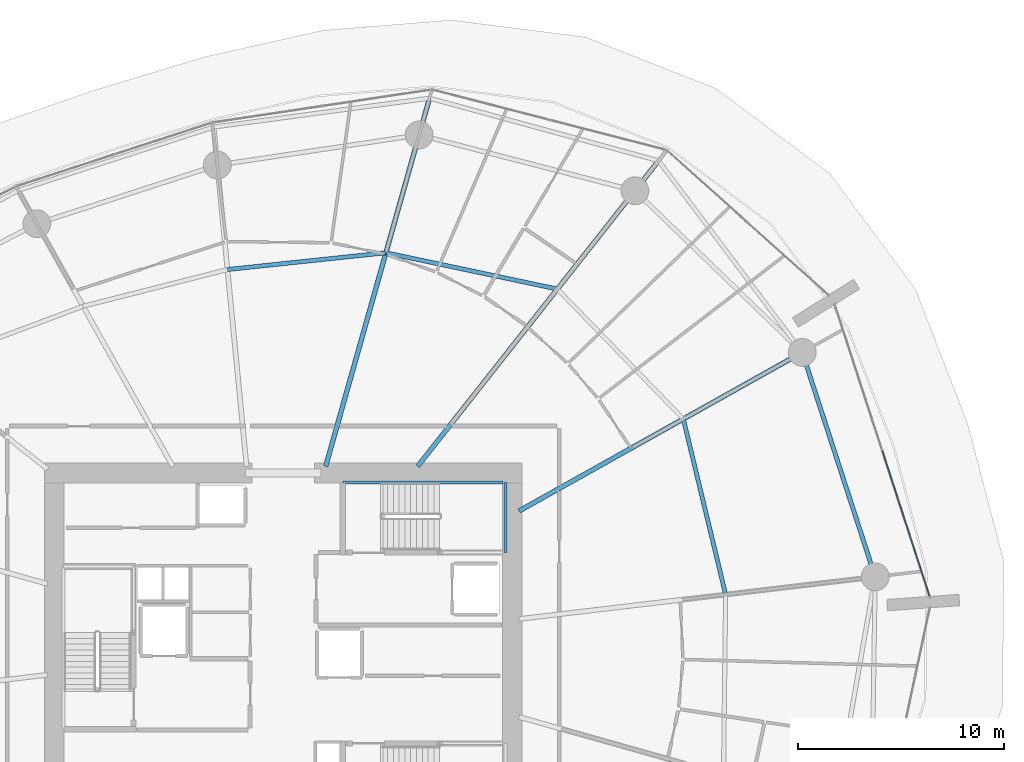
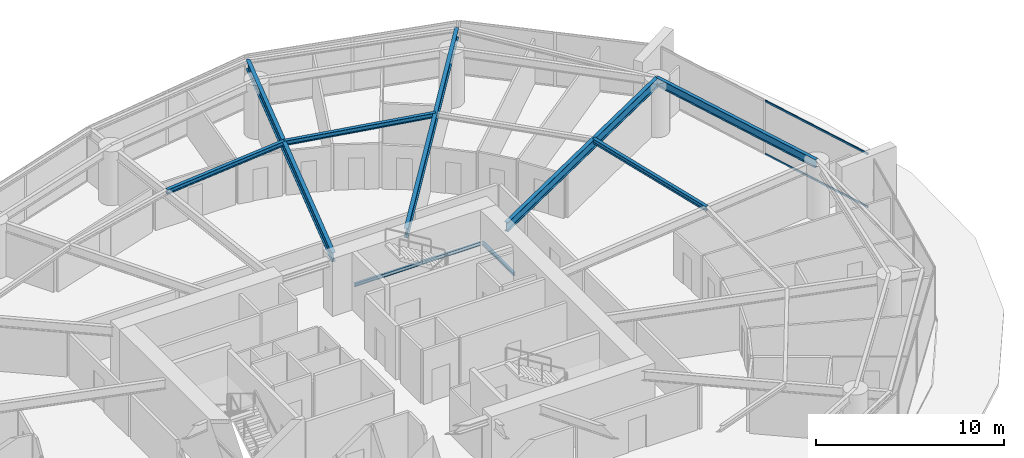
# One storey, part 13 of 22: 9 beams, 2 members, 1 element without a shape of its own.
"""IFC4 building model written with IfcOpenShell, lengths in metres."""

from ifc_helpers import new_model, si_unit, direction, frame, origin, origin_2d, place, context, subcontext, project, spatial, rectangle, i_section, extrude, material, layer, layer_set, material_profile, profile_set, type_object, element, aggregate, save


model = new_model("IFC4")

# Units and contexts
model_context = context("Model", 3, precision=1e-05, world=origin(), true_north=direction((0.0, 1.0)))
body_context = subcontext(model_context, "Body", "Model", "MODEL_VIEW")
ifc_project = project(units=[si_unit("LENGTHUNIT", "METRE"), si_unit("AREAUNIT", "SQUARE_METRE"), si_unit("VOLUMEUNIT", "CUBIC_METRE"), si_unit("PLANEANGLEUNIT", "RADIAN"), si_unit("MASSUNIT", "GRAM", prefix="KILO")], contexts=[model_context])

# Site, building, storey
site_placement = place(None, origin())
site = spatial("IfcSite", under=ifc_project, at=site_placement, CompositionType="ELEMENT")
building_placement = place(site_placement, origin())
building = spatial("IfcBuilding", under=site, at=building_placement, Name="Kazma Halo Residences", CompositionType="ELEMENT")
storey_placement = place(building_placement, frame((0.0, 0.0, 26.39990234375)))
storey = spatial("IfcBuildingStorey", under=building, at=storey_placement, Name="L05", CompositionType="ELEMENT", Elevation=26.39990234375)

# Beams
ifc_material_1 = material(Name="Steel S355", Category="steel")
ifc_material_profile_1 = material_profile(ifc_material_1, i_section(OverallWidth=0.22802734375, OverallDepth=0.60791015625, WebThickness=0.01123046875, FlangeThickness=0.017333984375, FilletRadius=0.01806640625, at=origin_2d()), Name="W610x113")
ifc_profile_set_1 = profile_set([ifc_material_profile_1], Name="Steel S355")
beam_type_1 = type_object("IfcBeamType", Name="BM-RAD-W610", PredefinedType="BEAM", material=ifc_profile_set_1)
beam_1_placement = place(storey_placement, frame((59.85009765625, 48.63623046875, 3.196044921875), z_axis=(0.872489859828, 0.48863221803, 0.0), x_axis=(-0.48863221803, 0.872489859828, 0.0)))
element("IfcBeam", 1, at=beam_1_placement, inside=storey, type_object=beam_type_1, Name="L05 radial floor beam 01", PredefinedType="BEAM", context=body_context, shape_type="SweptSolid", body=[
    extrude(i_section(OverallWidth=0.22802734375, OverallDepth=0.60791015625, WebThickness=0.01123046875, FlangeThickness=0.017333984375, FilletRadius=0.01806640625, at=origin_2d()), origin(), (0.0, 0.0, 1.0), 15.71923828125),
])
beam_2_placement = place(storey_placement, frame((54.9375, 50.800048828125, 3.196044921875), z_axis=(0.619092154321, 0.785318345932, 0.0), x_axis=(-0.785318345932, 0.619092154321, 0.0)))
element("IfcBeam", 2, at=beam_2_placement, inside=storey, type_object=beam_type_1, Name="L05 radial floor beam 02", PredefinedType="BEAM", context=body_context, shape_type="SweptSolid", body=[
    extrude(i_section(OverallWidth=0.22802734375, OverallDepth=0.60791015625, WebThickness=0.01123046875, FlangeThickness=0.017333984375, FilletRadius=0.01806640625, at=origin_2d()), origin(), (0.0, 0.0, 1.0), 18.84375),
])
beam_3_placement = place(storey_placement, frame((50.48193359375, 50.800048828125, 3.196044921875), z_axis=(0.271442010129, 0.962454796412, 0.0), x_axis=(-0.962454796412, 0.271442010129, 0.0)))
element("IfcBeam", 3, at=beam_3_placement, inside=storey, type_object=beam_type_1, Name="L05 radial floor beam 03", PredefinedType="BEAM", context=body_context, shape_type="SweptSolid", body=[
    extrude(i_section(OverallWidth=0.22802734375, OverallDepth=0.60791015625, WebThickness=0.01123046875, FlangeThickness=0.017333984375, FilletRadius=0.01806640625, at=origin_2d()), origin(), (0.0, 0.0, 1.0), 18.525390625),
])
ifc_material_profile_2 = material_profile(ifc_material_1, i_section(OverallWidth=0.202880859375, OverallDepth=0.302978515625, WebThickness=0.007568359375, FlangeThickness=0.01318359375, FilletRadius=0.013916015625, at=origin_2d()), Name="W310x60")
ifc_profile_set_2 = profile_set([ifc_material_profile_2], Name="Steel S355")
beam_type_2 = type_object("IfcBeamType", Name="BM-SEC-W310A", PredefinedType="JOIST", material=ifc_profile_set_2)
beam_4_placement = place(storey_placement, frame((61.703857421875, 59.383056640625, 3.3486328125), z_axis=(-0.97831665719, 0.207114746615, 0.0), x_axis=(-0.207114746615, -0.97831665719, 0.0)))
element("IfcBeam", 4, at=beam_4_placement, inside=storey, type_object=beam_type_2, Name="L05 circumferential floor joist 02", PredefinedType="JOIST", context=body_context, shape_type="SweptSolid", body=[
    extrude(i_section(OverallWidth=0.202880859375, OverallDepth=0.302978515625, WebThickness=0.007568359375, FlangeThickness=0.01318359375, FilletRadius=0.013916015625, at=origin_2d()), origin(), (0.0, 0.0, 1.0), 8.489501953125),
])
beam_5_placement = place(storey_placement, frame((53.3984375, 61.141357421875, 3.3486328125), z_axis=(-0.994456114777, -0.10515244069, 0.0), x_axis=(0.10515244069, -0.994456114777, 0.0)))
element("IfcBeam", 5, at=beam_5_placement, inside=storey, type_object=beam_type_2, Name="L05 circumferential floor joist 03", PredefinedType="JOIST", context=body_context, shape_type="SweptSolid", body=[
    extrude(i_section(OverallWidth=0.202880859375, OverallDepth=0.302978515625, WebThickness=0.007568359375, FlangeThickness=0.01318359375, FilletRadius=0.013916015625, at=origin_2d()), origin(), (0.0, 0.0, 1.0), 7.717529296875),
])
beam_6_placement = place(storey_placement, frame((69.853759765625, 44.586669921875, 3.3486328125), z_axis=(-0.234233116199, 0.972180460242, 0.0), x_axis=(-0.972180460242, -0.234233116199, 0.0)))
element("IfcBeam", 6, at=beam_6_placement, inside=storey, type_object=beam_type_2, Name="L05 circumferential floor joist 16", PredefinedType="JOIST", context=body_context, shape_type="SweptSolid", body=[
    extrude(i_section(OverallWidth=0.202880859375, OverallDepth=0.302978515625, WebThickness=0.007568359375, FlangeThickness=0.01318359375, FilletRadius=0.013916015625, at=origin_2d()), origin(), (0.0, 0.0, 1.0), 8.748046875),
])
ifc_material_profile_3 = material_profile(ifc_material_1, i_section(OverallWidth=0.208984375, OverallDepth=0.532958984375, WebThickness=0.01025390625, FlangeThickness=0.015625, FilletRadius=0.01611328125, at=origin_2d()), Name="W530x92")
ifc_profile_set_3 = profile_set([ifc_material_profile_3], Name="Steel S355")
beam_type_3 = type_object("IfcBeamType", Name="BM-SPN-W530", PredefinedType="BEAM", material=ifc_profile_set_3)
beam_7_placement = place(storey_placement, frame((77.097900390625, 45.444091796875, 3.233642578125), z_axis=(-0.309024264898, 0.951054153928, 0.0), x_axis=(-0.951054153928, -0.309024264898, 0.0)))
element("IfcBeam", 7, at=beam_7_placement, inside=storey, type_object=beam_type_3, Name="L05 perimeter ring beam 16", PredefinedType="BEAM", context=body_context, shape_type="SweptSolid", body=[
    extrude(i_section(OverallWidth=0.208984375, OverallDepth=0.532958984375, WebThickness=0.01025390625, FlangeThickness=0.015625, FilletRadius=0.01611328125, at=origin_2d()), origin(), (0.0, 0.0, 1.0), 11.4326171875),
])
ifc_material_profile_4 = material_profile(ifc_material_1, i_section(OverallWidth=0.133056640625, OverallDepth=0.20703125, WebThickness=0.005859375, FlangeThickness=0.00830078125, FilletRadius=0.010009765625, at=origin_2d()), Name="W200x26.6")
ifc_profile_set_4 = profile_set([ifc_material_profile_4], Name="Steel S355")
beam_type_4 = type_object("IfcBeamType", Name="BM-TRIM-W200", PredefinedType="BEAM", material=ifc_profile_set_4)
beam_8_placement = place(storey_placement, frame((51.31005859375, 50.02001953125, 1.570068359375), z_axis=(1.0, 0.0, 0.0), x_axis=(0.0, 1.0, 0.0)))
element("IfcBeam", 8, at=beam_8_placement, inside=storey, type_object=beam_type_4, Name="L05 ST-02 landing north wall ledger", PredefinedType="BEAM", context=body_context, shape_type="SweptSolid", body=[
    extrude(i_section(OverallWidth=0.133056640625, OverallDepth=0.20703125, WebThickness=0.005859375, FlangeThickness=0.00830078125, FilletRadius=0.010009765625, at=origin_2d()), origin(), (0.0, 0.0, 1.0), 7.760009765625),
])
beam_9_placement = place(storey_placement, frame((59.18994140625, 46.6201171875, 1.570068359375), z_axis=(0.0, 1.0, 0.0), x_axis=(-1.0, 0.0, 0.0)))
element("IfcBeam", 9, at=beam_9_placement, inside=storey, type_object=beam_type_4, Name="L05 ST-02 landing end wall ledger", PredefinedType="BEAM", context=body_context, shape_type="SweptSolid", body=[
    extrude(i_section(OverallWidth=0.133056640625, OverallDepth=0.20703125, WebThickness=0.005859375, FlangeThickness=0.00830078125, FilletRadius=0.010009765625, at=origin_2d()), origin(), (0.0, 0.0, 1.0), 3.39990234375),
])

# Curtain wall, members
ifc_material_2 = material(Name="Aluminium AW-6063 T6 and Triple-Silver Low-E Glass", Category="aluminium")
ifc_layer = layer(ifc_material_2, 0.159912109375)
ifc_layer_set = layer_set([ifc_layer], Name="Aluminium AW-6063 T6 and Triple-Silver Low-E Glass")
curtain_wall_type = type_object("IfcCurtainWallType", Name="CW-SYS-2", PredefinedType="NOTDEFINED", material=ifc_layer_set)
curtain_wall_placement = place(storey_placement, origin())
curtain_wall = element("IfcCurtainWall", 10, at=curtain_wall_placement, inside=storey, type_object=curtain_wall_type, Name="L05 unitised curtain wall B16", PredefinedType="NOTDEFINED")
ifc_material_3 = material(Name="Aluminium AW-6063 T6", Category="aluminium")
ifc_material_profile_5 = material_profile(ifc_material_3, rectangle(XDim=0.06005859375, YDim=0.1201171875, at=origin_2d()), Name="CWT-60x120")
ifc_profile_set_5 = profile_set([ifc_material_profile_5], Name="Aluminium AW-6063 T6")
member_type = type_object("IfcMemberType", Name="CW-SYS-2-TRN", PredefinedType="USERDEFINED", material=ifc_profile_set_5)
member_1_placement = place(storey_placement, frame((79.72900390625, 44.52783203125, 0.030029296875), z_axis=(-0.309034393795, 0.951050862705, 0.0), x_axis=(-0.951050862705, -0.309034393795, 0.0)))
member_1 = element("IfcMember", 11, at=member_1_placement, type_object=member_type, Name="CWS-2 transom 1.1", ObjectType="TRANSOM", PredefinedType="USERDEFINED", context=body_context, shape_type="SweptSolid", body=[
    extrude(rectangle(XDim=0.06005859375, YDim=0.1201171875, at=origin_2d()), origin(), (0.0, 0.0, 1.0), 7.370849609375),
])
member_2_placement = place(storey_placement, frame((79.72900390625, 44.52783203125, 3.47021484375), z_axis=(-0.309034393795, 0.951050862705, 0.0), x_axis=(-0.951050862705, -0.309034393795, 0.0)))
member_2 = element("IfcMember", 12, at=member_2_placement, type_object=member_type, Name="CWS-2 transom 1.2", ObjectType="TRANSOM", PredefinedType="USERDEFINED", context=body_context, shape_type="SweptSolid", body=[
    extrude(rectangle(XDim=0.06005859375, YDim=0.1201171875, at=origin_2d()), origin(), (0.0, 0.0, 1.0), 7.370849609375),
])
aggregate(curtain_wall, [member_1, member_2])

save(model, "model.ifc")
